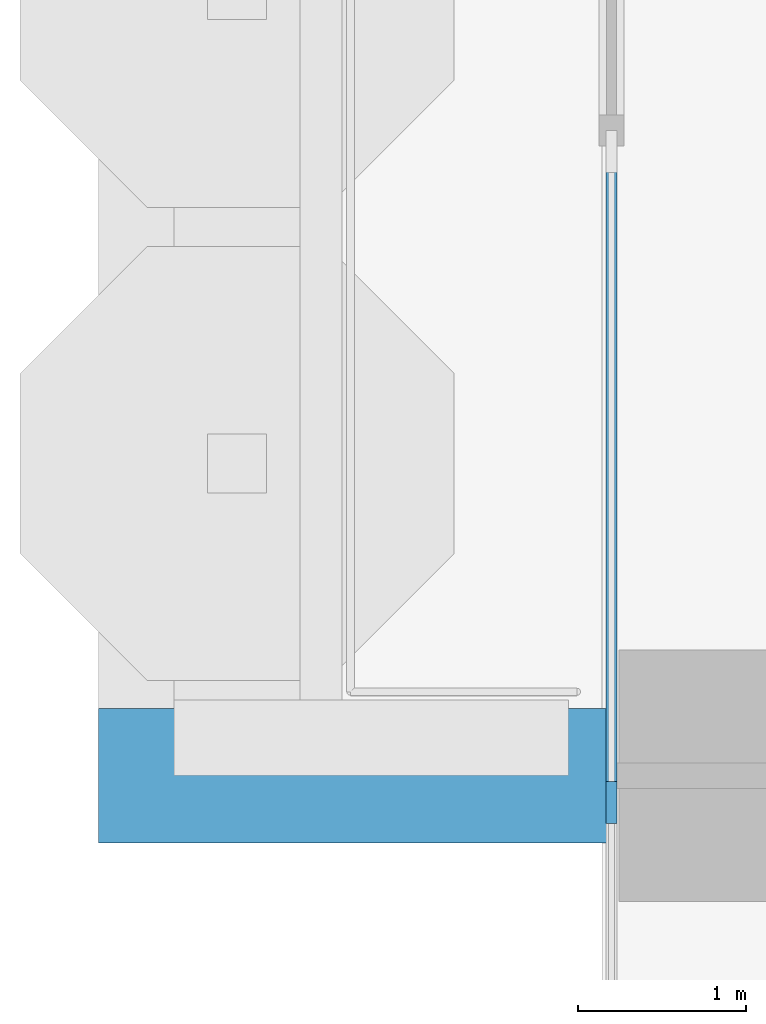
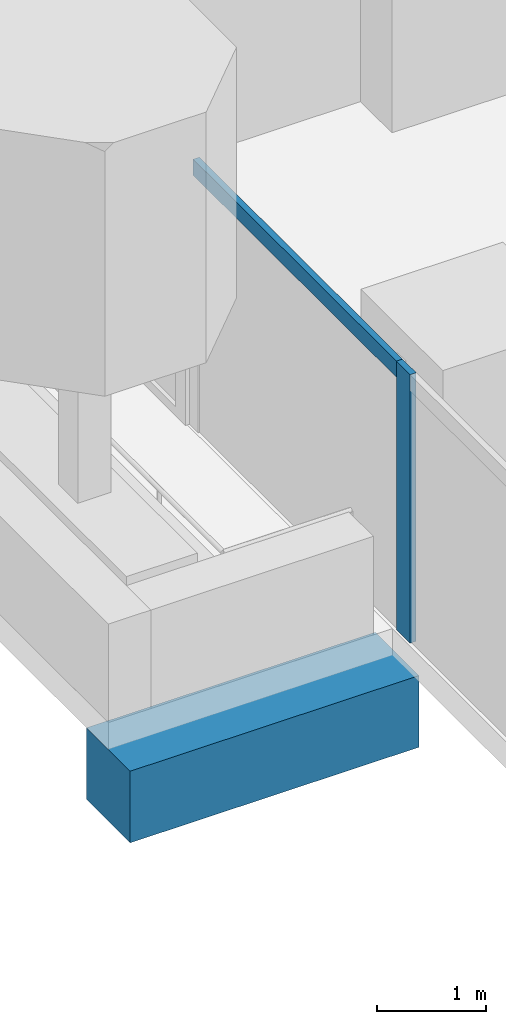
# One storey, part 3 of 18: 2 members, 1 beam, 1 element without a shape of its own.
"""IFC4 building model written with IfcOpenShell, lengths in metres."""

from ifc_helpers import new_model, si_unit, direction, frame, origin, origin_2d, place, context, subcontext, project, spatial, rectangle, extrude, material, material_profile, profile_set, type_object, element, aggregate, save


model = new_model("IFC4")

# Units and contexts
model_context = context("Model", 3, precision=1e-05, world=origin(), true_north=direction((0.0, 1.0)))
body_context = subcontext(model_context, "Body", "Model", "MODEL_VIEW")
ifc_project = project(units=[si_unit("LENGTHUNIT", "METRE"), si_unit("AREAUNIT", "SQUARE_METRE"), si_unit("VOLUMEUNIT", "CUBIC_METRE"), si_unit("PLANEANGLEUNIT", "RADIAN"), si_unit("MASSUNIT", "GRAM", prefix="KILO")], contexts=[model_context])

# Site, building, storey
site_placement = place(None, origin())
site = spatial("IfcSite", under=ifc_project, at=site_placement, CompositionType="ELEMENT")
building_placement = place(site_placement, origin())
building = spatial("IfcBuilding", under=site, at=building_placement, Name="Pilkhan Gate Tower", CompositionType="ELEMENT")
storey_placement = place(building_placement, frame((0.0, 0.0, 56.0)))
storey = spatial("IfcBuildingStorey", under=building, at=storey_placement, Name="L11", CompositionType="ELEMENT", Elevation=56.0)

# Beam
ifc_material_1 = material(Name="Concrete C50/60", Category="concrete")
ifc_material_profile_1 = material_profile(ifc_material_1, rectangle(XDim=0.800048828125, YDim=0.800048828125, at=origin_2d()), Name="RC 800x800")
ifc_profile_set_1 = profile_set([ifc_material_profile_1], Name="Concrete C50/60")
beam_type = type_object("IfcBeamType", Name="Cantilever beam CB2 RC 800x800 C50/60", PredefinedType="BEAM", material=ifc_profile_set_1)
beam_placement = place(storey_placement, frame((47.949951171875, 67.5, -0.699951171875), z_axis=(-1.0, 0.0, 0.0), x_axis=(0.0, -1.0, 0.0)))
element("IfcBeam", 1, at=beam_placement, inside=storey, type_object=beam_type, Name="Balcony beam W.1 L11", PredefinedType="BEAM", context=body_context, shape_type="SweptSolid", body=[
    extrude(rectangle(XDim=0.800048828125, YDim=0.800048828125, at=origin_2d()), origin(), (0.0, 0.0, 1.0), 3.050048828125),
])

# Curtain wall, members
ifc_material_2 = material(Name="Pale anodised aluminium, clear low-iron double glazing", Category="aluminium")
curtain_wall_type = type_object("IfcCurtainWallType", Name="Hotel unitised curtain wall CW-H", PredefinedType="USERDEFINED", material=ifc_material_2)
curtain_wall_placement = place(storey_placement, origin())
curtain_wall = element("IfcCurtainWall", 2, at=curtain_wall_placement, inside=storey, type_object=curtain_wall_type, Name="Hotel unitised curtain wall CW-H L11 W", ObjectType="UNITISED CURTAIN WALL", PredefinedType="USERDEFINED")
ifc_material_3 = material(Name="Pale anodised aluminium", Category="aluminium")
ifc_material_profile_2 = material_profile(ifc_material_3, rectangle(XDim=0.06494140625, YDim=0.25, at=origin_2d()), Name="Mullion 250x65")
ifc_profile_set_2 = profile_set([ifc_material_profile_2], Name="Pale anodised aluminium")
member_type_1 = type_object("IfcMemberType", Name="Mullion CW-H 250x65", PredefinedType="MULLION", material=ifc_profile_set_2)
member_1_placement = place(storey_placement, frame((47.955078125, 67.341064453125, 0.0), z_axis=(0.0, 0.0, 1.0), x_axis=(-1.0, 0.0, 0.0)))
member_1 = element("IfcMember", 3, at=member_1_placement, type_object=member_type_1, Name="CW-H mullion 2", PredefinedType="MULLION", context=body_context, shape_type="SweptSolid", body=[
    extrude(rectangle(XDim=0.06494140625, YDim=0.25, at=origin_2d()), origin(), (0.0, 0.0, 1.0), 3.0),
])
ifc_material_profile_3 = material_profile(ifc_material_3, rectangle(XDim=0.06494140625, YDim=0.179931640625, at=origin_2d()), Name="Transom 180x65")
ifc_profile_set_3 = profile_set([ifc_material_profile_3], Name="Pale anodised aluminium")
member_type_2 = type_object("IfcMemberType", Name="Transom CW-H 180x65", PredefinedType="USERDEFINED", material=ifc_profile_set_3)
member_2_placement = place(storey_placement, frame((47.955078125, 67.37353515625, 2.909912109375), z_axis=(0.0, 1.0, 0.0), x_axis=(-1.0, 0.0, 0.0)))
member_2 = element("IfcMember", 4, at=member_2_placement, type_object=member_type_2, Name="CW-H transom 2", ObjectType="TRANSOM", PredefinedType="USERDEFINED", context=body_context, shape_type="SweptSolid", body=[
    extrude(rectangle(XDim=0.06494140625, YDim=0.179931640625, at=origin_2d()), origin(), (0.0, 0.0, 1.0), 3.8115234375),
])
aggregate(curtain_wall, [member_1, member_2])

save(model, "model.ifc")
